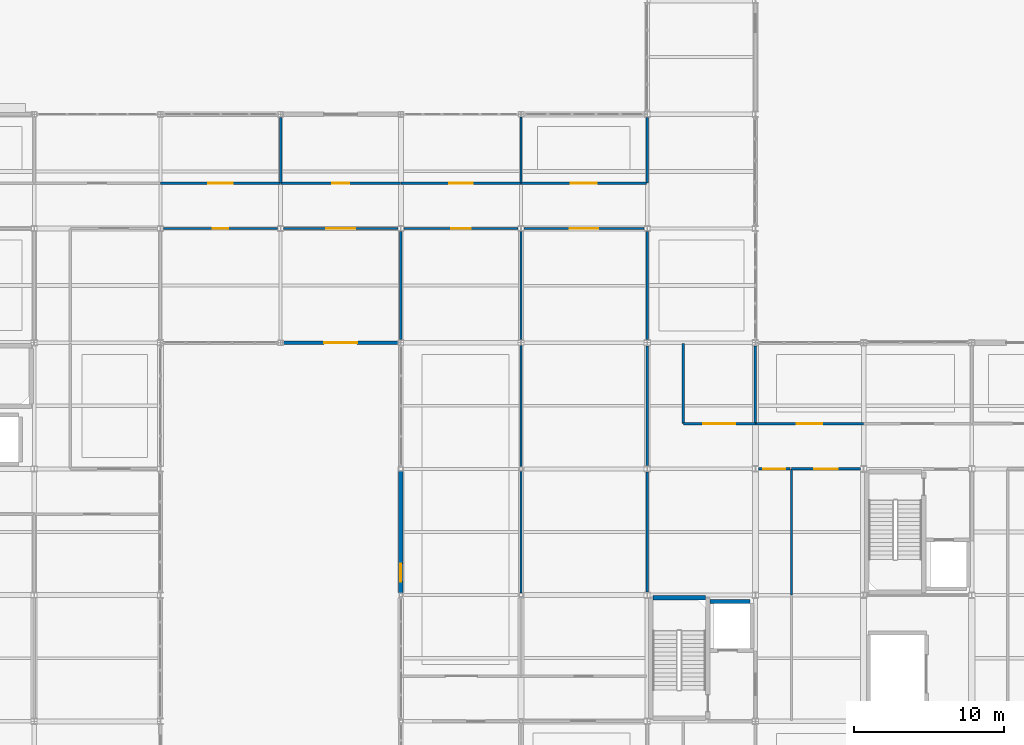
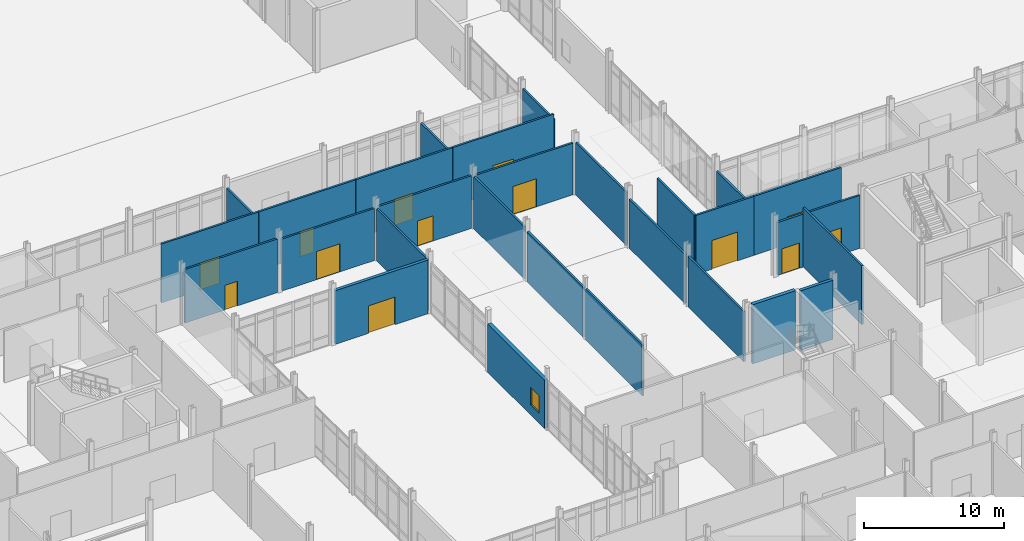
# One storey, part 194 of 229: 29 walls, 13 doors, 1 window, 14 openings.
"""IFC4 building model written with IfcOpenShell, lengths in metres."""

from ifc_helpers import new_model, si_unit, direction, frame, frame_2d, origin, place, context, subcontext, project, spatial, rectangle, extrude, material, layer, layer_set, type_object, element, fill, save


model = new_model("IFC4")

# Units and contexts
model_context = context("Model", 3, precision=1e-05, world=origin(), true_north=direction((0.0, 1.0)))
body_context = subcontext(model_context, "Body", "Model", "MODEL_VIEW")
ifc_project = project(units=[si_unit("LENGTHUNIT", "METRE"), si_unit("AREAUNIT", "SQUARE_METRE"), si_unit("VOLUMEUNIT", "CUBIC_METRE"), si_unit("PLANEANGLEUNIT", "RADIAN"), si_unit("MASSUNIT", "GRAM", prefix="KILO")], contexts=[model_context])

# Site, building, storey
site_placement = place(None, origin())
site = spatial("IfcSite", under=ifc_project, at=site_placement, CompositionType="ELEMENT")
building_placement = place(site_placement, origin())
building = spatial("IfcBuilding", under=site, at=building_placement, Name="Calvrana Isthmian Art Gallery", CompositionType="ELEMENT")
storey_placement = place(building_placement, origin())
storey = spatial("IfcBuildingStorey", under=building, at=storey_placement, Name="L00", CompositionType="ELEMENT", Elevation=0.0)

# Wall
ifc_material_1 = material(Name="Concrete C40/50", Category="concrete")
ifc_layer_1 = layer(ifc_material_1, 0.300048828125, Name="Concrete C40/50")
ifc_layer_set_1 = layer_set([ifc_layer_1], Name="Concrete C40/50")
wall_type_1 = type_object("IfcWallType", Name="CW-SHAFT-300", PredefinedType="SHEAR", material=ifc_layer_set_1)
wall_1_placement = place(storey_placement, frame((113.169921875, 29.81005859375, 0.0), z_axis=(0.0, 0.0, 1.0), x_axis=(1.0, 0.0, 0.0)))
element("IfcWall", 1, at=wall_1_placement, inside=storey, type_object=wall_type_1, Name="Core C3 shear wall N L00", PredefinedType="SHEAR", context=body_context, shape_type="SweptSolid", body=[
    extrude(rectangle(XDim=3.52001953125, YDim=0.300048828125, at=frame_2d((1.760009765625, 0.0))), origin(), (0.0, 0.0, 1.0), 5.159912109375),
])

# Wall, opening, window
ifc_material_2 = material(Name="Pale Isthmian limestone", Category="masonry")
ifc_layer_2 = layer(ifc_material_2, 0.300048828125, Name="Pale Isthmian limestone")
ifc_layer_set_2 = layer_set([ifc_layer_2], Name="Pale Isthmian limestone")
wall_type_2 = type_object("IfcWallType", Name="EW-LIME-300", PredefinedType="SOLIDWALL", material=ifc_layer_set_2)
wall_2_placement = place(storey_placement, frame((96.39990234375, 30.15234375, 0.0), z_axis=(0.0, 0.0, 1.0), x_axis=(0.0, 1.0, 0.0)))
wall_2 = element("IfcWall", 2, at=wall_2_placement, inside=storey, type_object=wall_type_2, Name="Exterior wall EW-044", PredefinedType="SOLIDWALL", context=body_context, shape_type="SweptSolid", body=[
    extrude(rectangle(XDim=8.09521484375, YDim=0.300048828125, at=frame_2d((4.047607421875, 0.0))), origin(), (0.0, 0.0, 1.0), 4.212890625),
])
opening_1_placement = place(wall_2_placement, frame((0.75, 0.0, 0.89990234375)))
opening_1 = element("IfcOpeningElement", 3, at=opening_1_placement, cuts=wall_2, Name="Opening W-015", PredefinedType="OPENING", context=body_context, shape_type="SweptSolid", body=[
    extrude(rectangle(XDim=1.199951171875, YDim=1.5, at=frame_2d((0.60009765625, 0.75))), frame((0.0, 0.16015625, 0.0), z_axis=(0.0, -1.0, 0.0), x_axis=(1.0, 0.0, 0.0)), (0.0, 0.0, 1.0), 0.320556640625),
])
ifc_material_3 = material(Name="Low-E laminated solar glass", Category="glass")
window_type = type_object("IfcWindowType", Name="WN-G01", PartitioningType="SINGLE_PANEL", PredefinedType="WINDOW", material=ifc_material_3)
window_placement = place(opening_1_placement, origin())
window = element("IfcWindow", 4, at=window_placement, inside=storey, type_object=window_type, Name="Facade window W-015", OverallHeight=1.5, OverallWidth=1.199951171875, PartitioningType="SINGLE_PANEL", PredefinedType="WINDOW", context=body_context, shape_type="SweptSolid", body=[
    extrude(rectangle(XDim=1.199951171875, YDim=1.5, at=frame_2d((0.60009765625, 0.75))), frame((0.0, 0.030029296875, 0.0), z_axis=(0.0, -1.0, 0.0), x_axis=(1.0, 0.0, 0.0)), (0.0, 0.0, 1.0), 0.06005859375),
])
fill(opening_1, window)

# Wall, opening, door
ifc_material_4 = material(Name="Polychrome glazed terracotta", Category="masonry")
ifc_layer_3 = layer(ifc_material_4, 0.25, Name="Polychrome glazed terracotta")
ifc_layer_set_3 = layer_set([ifc_layer_3], Name="Polychrome glazed terracotta")
wall_type_3 = type_object("IfcWallType", Name="EW-TERRA-250", PredefinedType="SOLIDWALL", material=ifc_layer_set_3)
wall_3_placement = place(storey_placement, frame((96.21337890625, 46.800048828125, 0.0), z_axis=(0.0, 0.0, 1.0), x_axis=(-1.0, 0.0, 0.0)))
wall_3 = element("IfcWall", 5, at=wall_3_placement, inside=storey, type_object=wall_type_3, Name="Exterior wall EW-013", PredefinedType="SOLIDWALL", context=body_context, shape_type="SweptSolid", body=[
    extrude(rectangle(XDim=7.62939453125, YDim=0.25, at=frame_2d((3.814697265625, 0.0))), origin(), (0.0, 0.0, 1.0), 4.677978515625),
])
opening_2_placement = place(wall_3_placement, frame((2.714599609375, 0.0, 0.0)))
opening_2 = element("IfcOpeningElement", 6, at=opening_2_placement, cuts=wall_3, Name="Opening D-E07", PredefinedType="OPENING", context=body_context, shape_type="SweptSolid", body=[
    extrude(rectangle(XDim=2.199951171875, YDim=2.39990234375, at=frame_2d((1.10009765625, 1.199951171875))), frame((0.0, 0.13525390625, 0.0), z_axis=(0.0, -1.0, 0.0), x_axis=(1.0, 0.0, 0.0)), (0.0, 0.0, 1.0), 0.2705078125),
])
ifc_material_5 = material(Name="Anodized bronze aluminium 6063-T6", Category="aluminium")
door_type_1 = type_object("IfcDoorType", Name="DR-EXT-MAIN-2200", OperationType="DOUBLE_DOOR_SINGLE_SWING", PredefinedType="DOOR", material=ifc_material_5)
door_1_placement = place(opening_2_placement, origin())
door_1 = element("IfcDoor", 7, at=door_1_placement, inside=storey, type_object=door_type_1, Name="Main entrance pedestrian exit D-E07", OperationType="DOUBLE_DOOR_SINGLE_SWING", OverallHeight=2.39990234375, OverallWidth=2.199951171875, PredefinedType="DOOR", context=body_context, shape_type="SweptSolid", body=[
    extrude(rectangle(XDim=2.199951171875, YDim=2.39990234375, at=frame_2d((1.10009765625, 1.199951171875))), frame((0.0, 0.02490234375, 0.0), z_axis=(0.0, -1.0, 0.0), x_axis=(1.0, 0.0, 0.0)), (0.0, 0.0, 1.0), 0.050048828125),
])
fill(opening_2, door_1)

ifc_material_6 = material(Name="Acoustic gypsum ceiling", Category="gypsum")
ifc_layer_4 = layer(ifc_material_6, 0.179931640625, Name="Acoustic gypsum ceiling")
ifc_layer_set_4 = layer_set([ifc_layer_4], Name="Acoustic gypsum ceiling")
wall_type_4 = type_object("IfcWallType", Name="PW-CORR-180", PredefinedType="PARTITIONING", material=ifc_layer_set_4)
wall_4_placement = place(storey_placement, frame((120.219970703125, 38.39990234375, 0.0), z_axis=(0.0, 0.0, 1.0), x_axis=(1.0, 0.0, 0.0)))
wall_4 = element("IfcWall", 8, at=wall_4_placement, inside=storey, type_object=wall_type_4, Name="Interior partition PW-294", PredefinedType="PARTITIONING", context=body_context, shape_type="SweptSolid", body=[
    extrude(rectangle(XDim=2.080078125, YDim=0.179931640625, at=frame_2d((1.0400390625, 0.0))), origin(), (0.0, 0.0, 1.0), 4.60693359375),
])
opening_3_placement = place(wall_4_placement, frame((0.31494140625, 0.0, 0.0)))
opening_3 = element("IfcOpeningElement", 9, at=opening_3_placement, cuts=wall_4, Name="Opening D-346", PredefinedType="OPENING", context=body_context, shape_type="SweptSolid", body=[
    extrude(rectangle(XDim=1.449951171875, YDim=2.199951171875, at=frame_2d((0.72509765625, 1.10009765625))), frame((0.0, 0.10009765625, 0.0), z_axis=(0.0, -1.0, 0.0), x_axis=(1.0, 0.0, 0.0)), (0.0, 0.0, 1.0), 0.200439453125),
])
ifc_material_7 = material(Name="Steel ASTM A572 Gr 50", Category="steel")
door_type_2 = type_object("IfcDoorType", Name="DR-LOBBY-1450", OperationType="DOUBLE_DOOR_SINGLE_SWING", PredefinedType="DOOR", material=ifc_material_7)
door_2_placement = place(opening_3_placement, origin())
door_2 = element("IfcDoor", 10, at=door_2_placement, inside=storey, type_object=door_type_2, Name="Interior door D-346", OperationType="DOUBLE_DOOR_SINGLE_SWING", OverallHeight=2.199951171875, OverallWidth=1.449951171875, PredefinedType="DOOR", context=body_context, shape_type="SweptSolid", body=[
    extrude(rectangle(XDim=1.449951171875, YDim=2.199951171875, at=frame_2d((0.72509765625, 1.10009765625))), frame((0.0, 0.02490234375, 0.0), z_axis=(0.0, -1.0, 0.0), x_axis=(1.0, 0.0, 0.0)), (0.0, 0.0, 1.0), 0.050048828125),
])
fill(opening_3, door_2)

# Walls
ifc_layer_5 = layer(ifc_material_6, 0.159912109375, Name="Acoustic gypsum ceiling")
ifc_layer_set_5 = layer_set([ifc_layer_5], Name="Acoustic gypsum ceiling")
wall_type_5 = type_object("IfcWallType", Name="PW-GAL-160", PredefinedType="PARTITIONING", material=ifc_layer_set_5)
wall_5_placement = place(storey_placement, frame((104.39990234375, 30.14208984375, 0.0), z_axis=(0.0, 0.0, 1.0), x_axis=(0.0, 1.0, 0.0)))
element("IfcWall", 11, at=wall_5_placement, inside=storey, type_object=wall_type_5, Name="Interior partition PW-136", PredefinedType="PARTITIONING", context=body_context, shape_type="SweptSolid", body=[
    extrude(rectangle(XDim=8.090576171875, YDim=0.159912109375, at=frame_2d((4.04541015625, 0.0))), origin(), (0.0, 0.0, 1.0), 4.447021484375),
])
wall_6_placement = place(storey_placement, frame((104.39990234375, 38.5673828125, 0.0), z_axis=(0.0, 0.0, 1.0), x_axis=(0.0, 1.0, 0.0)))
element("IfcWall", 12, at=wall_6_placement, inside=storey, type_object=wall_type_5, Name="Interior partition PW-137", PredefinedType="PARTITIONING", context=body_context, shape_type="SweptSolid", body=[
    extrude(rectangle(XDim=8.03369140625, YDim=0.159912109375, at=frame_2d((4.016845703125, 0.0))), origin(), (0.0, 0.0, 1.0), 4.367919921875),
])
wall_7_placement = place(storey_placement, frame((112.800048828125, 30.214599609375, 0.0), z_axis=(0.0, 0.0, 1.0), x_axis=(0.0, 1.0, 0.0)))
element("IfcWall", 13, at=wall_7_placement, inside=storey, type_object=wall_type_5, Name="Interior partition PW-139", PredefinedType="PARTITIONING", context=body_context, shape_type="SweptSolid", body=[
    extrude(rectangle(XDim=7.96728515625, YDim=0.159912109375, at=frame_2d((3.983642578125, 0.0))), origin(), (0.0, 0.0, 1.0), 4.367919921875),
])
wall_8_placement = place(storey_placement, frame((112.800048828125, 38.617919921875, 0.0), z_axis=(0.0, 0.0, 1.0), x_axis=(0.0, 1.0, 0.0)))
element("IfcWall", 14, at=wall_8_placement, inside=storey, type_object=wall_type_5, Name="Interior partition PW-140", PredefinedType="PARTITIONING", context=body_context, shape_type="SweptSolid", body=[
    extrude(rectangle(XDim=7.95849609375, YDim=0.159912109375, at=frame_2d((3.979248046875, 0.0))), origin(), (0.0, 0.0, 1.0), 4.263916015625),
])

# Wall, opening, door
wall_9_placement = place(storey_placement, frame((80.6015625, 54.39990234375, 0.0), z_axis=(0.0, 0.0, 1.0), x_axis=(1.0, 0.0, 0.0)))
wall_9 = element("IfcWall", 15, at=wall_9_placement, inside=storey, type_object=wall_type_5, Name="Interior partition PW-146", PredefinedType="PARTITIONING", context=body_context, shape_type="SweptSolid", body=[
    extrude(rectangle(XDim=7.597900390625, YDim=0.159912109375, at=frame_2d((3.798828125, 0.0))), origin(), (0.0, 0.0, 1.0), 4.677978515625),
])
opening_4_placement = place(wall_9_placement, frame((3.27392578125, 0.0, 0.0)))
opening_4 = element("IfcOpeningElement", 16, at=opening_4_placement, cuts=wall_9, Name="Opening D-268", PredefinedType="OPENING", context=body_context, shape_type="SweptSolid", body=[
    extrude(rectangle(XDim=1.050048828125, YDim=2.14990234375, at=frame_2d((0.52490234375, 1.074951171875))), frame((0.0, 0.09033203125, 0.0), z_axis=(0.0, -1.0, 0.0), x_axis=(1.0, 0.0, 0.0)), (0.0, 0.0, 1.0), 0.180419921875),
])
ifc_material_8 = material(Name="Timber gallery flooring", Category="wood")
door_type_3 = type_object("IfcDoorType", Name="DR-RM-1050", OperationType="NOTDEFINED", PredefinedType="DOOR", material=ifc_material_8)
door_3_placement = place(opening_4_placement, origin())
door_3 = element("IfcDoor", 17, at=door_3_placement, inside=storey, type_object=door_type_3, Name="Interior door D-268", OperationType="SINGLE_SWING_RIGHT", OverallHeight=2.14990234375, OverallWidth=1.050048828125, PredefinedType="DOOR", context=body_context, shape_type="SweptSolid", body=[
    extrude(rectangle(XDim=1.050048828125, YDim=2.14990234375, at=frame_2d((0.52490234375, 1.074951171875))), frame((0.0, 0.02490234375, 0.0), z_axis=(0.0, -1.0, 0.0), x_axis=(1.0, 0.0, 0.0)), (0.0, 0.0, 1.0), 0.050048828125),
])
fill(opening_4, door_3)

wall_10_placement = place(storey_placement, frame((88.6005859375, 54.39990234375, 0.0), z_axis=(0.0, 0.0, 1.0), x_axis=(1.0, 0.0, 0.0)))
wall_10 = element("IfcWall", 18, at=wall_10_placement, inside=storey, type_object=wall_type_5, Name="Interior partition PW-147", PredefinedType="PARTITIONING", context=body_context, shape_type="SweptSolid", body=[
    extrude(rectangle(XDim=7.600341796875, YDim=0.159912109375, at=frame_2d((3.80029296875, 0.0))), origin(), (0.0, 0.0, 1.0), 4.532958984375),
])
opening_5_placement = place(wall_10_placement, frame((2.85009765625, 0.0, 0.0)))
opening_5 = element("IfcOpeningElement", 19, at=opening_5_placement, cuts=wall_10, Name="Opening D-269", PredefinedType="OPENING", context=body_context, shape_type="SweptSolid", body=[
    extrude(rectangle(XDim=1.89990234375, YDim=2.449951171875, at=frame_2d((0.949951171875, 1.22509765625))), frame((0.0, 0.09033203125, 0.0), z_axis=(0.0, -1.0, 0.0), x_axis=(1.0, 0.0, 0.0)), (0.0, 0.0, 1.0), 0.180419921875),
])
door_type_4 = type_object("IfcDoorType", Name="DR-GAL-1900", OperationType="DOUBLE_DOOR_SINGLE_SWING", PredefinedType="DOOR", material=ifc_material_8)
door_4_placement = place(opening_5_placement, origin())
door_4 = element("IfcDoor", 20, at=door_4_placement, inside=storey, type_object=door_type_4, Name="Interior door D-269", OperationType="DOUBLE_DOOR_SINGLE_SWING", OverallHeight=2.449951171875, OverallWidth=1.89990234375, PredefinedType="DOOR", context=body_context, shape_type="SweptSolid", body=[
    extrude(rectangle(XDim=1.89990234375, YDim=2.449951171875, at=frame_2d((0.949951171875, 1.22509765625))), frame((0.0, 0.02490234375, 0.0), z_axis=(0.0, -1.0, 0.0), x_axis=(1.0, 0.0, 0.0)), (0.0, 0.0, 1.0), 0.050048828125),
])
fill(opening_5, door_4)

# Wall
wall_11_placement = place(storey_placement, frame((96.39990234375, 47.00146484375, 0.0), z_axis=(0.0, 0.0, 1.0), x_axis=(0.0, 1.0, 0.0)))
element("IfcWall", 21, at=wall_11_placement, inside=storey, type_object=wall_type_5, Name="Interior partition PW-148", PredefinedType="PARTITIONING", context=body_context, shape_type="SweptSolid", body=[
    extrude(rectangle(XDim=7.20556640625, YDim=0.159912109375, at=frame_2d((3.602783203125, 0.0))), origin(), (0.0, 0.0, 1.0), 4.528076171875),
])

# Wall, opening, door
wall_12_placement = place(storey_placement, frame((96.59912109375, 54.39990234375, 0.0), z_axis=(0.0, 0.0, 1.0), x_axis=(1.0, 0.0, 0.0)))
wall_12 = element("IfcWall", 22, at=wall_12_placement, inside=storey, type_object=wall_type_5, Name="Interior partition PW-149", PredefinedType="PARTITIONING", context=body_context, shape_type="SweptSolid", body=[
    extrude(rectangle(XDim=7.599365234375, YDim=0.159912109375, at=frame_2d((3.7998046875, 0.0))), origin(), (0.0, 0.0, 1.0), 4.591064453125),
])
opening_6_placement = place(wall_12_placement, frame((3.149658203125, 0.0, 0.0)))
opening_6 = element("IfcOpeningElement", 23, at=opening_6_placement, cuts=wall_12, Name="Opening D-270", PredefinedType="OPENING", context=body_context, shape_type="SweptSolid", body=[
    extrude(rectangle(XDim=1.300048828125, YDim=2.199951171875, at=frame_2d((0.64990234375, 1.10009765625))), frame((0.0, 0.09033203125, 0.0), z_axis=(0.0, -1.0, 0.0), x_axis=(1.0, 0.0, 0.0)), (0.0, 0.0, 1.0), 0.180419921875),
])
door_type_5 = type_object("IfcDoorType", Name="DR-RM-1300", OperationType="NOTDEFINED", PredefinedType="DOOR", material=ifc_material_8)
door_5_placement = place(opening_6_placement, origin())
door_5 = element("IfcDoor", 24, at=door_5_placement, inside=storey, type_object=door_type_5, Name="Interior door D-270", OperationType="SINGLE_SWING_LEFT", OverallHeight=2.199951171875, OverallWidth=1.300048828125, PredefinedType="DOOR", context=body_context, shape_type="SweptSolid", body=[
    extrude(rectangle(XDim=1.300048828125, YDim=2.199951171875, at=frame_2d((0.64990234375, 1.10009765625))), frame((0.0, 0.02490234375, 0.0), z_axis=(0.0, -1.0, 0.0), x_axis=(1.0, 0.0, 0.0)), (0.0, 0.0, 1.0), 0.050048828125),
])
fill(opening_6, door_5)

# Wall
wall_13_placement = place(storey_placement, frame((104.39990234375, 46.9990234375, 0.0), z_axis=(0.0, 0.0, 1.0), x_axis=(0.0, 1.0, 0.0)))
element("IfcWall", 25, at=wall_13_placement, inside=storey, type_object=wall_type_5, Name="Interior partition PW-150", PredefinedType="PARTITIONING", context=body_context, shape_type="SweptSolid", body=[
    extrude(rectangle(XDim=7.199462890625, YDim=0.159912109375, at=frame_2d((3.599609375, 0.0))), origin(), (0.0, 0.0, 1.0), 4.532958984375),
])

# Wall, opening, door
wall_14_placement = place(storey_placement, frame((104.6015625, 54.39990234375, 0.0), z_axis=(0.0, 0.0, 1.0), x_axis=(1.0, 0.0, 0.0)))
wall_14 = element("IfcWall", 26, at=wall_14_placement, inside=storey, type_object=wall_type_5, Name="Interior partition PW-151", PredefinedType="PARTITIONING", context=body_context, shape_type="SweptSolid", body=[
    extrude(rectangle(XDim=7.9853515625, YDim=0.159912109375, at=frame_2d((3.99267578125, 0.0))), origin(), (0.0, 0.0, 1.0), 4.508056640625),
])
opening_7_placement = place(wall_14_placement, frame((3.042724609375, 0.0, 0.0)))
opening_7 = element("IfcOpeningElement", 27, at=opening_7_placement, cuts=wall_14, Name="Opening D-271", PredefinedType="OPENING", context=body_context, shape_type="SweptSolid", body=[
    extrude(rectangle(XDim=1.89990234375, YDim=2.449951171875, at=frame_2d((0.949951171875, 1.22509765625))), frame((0.0, 0.09033203125, 0.0), z_axis=(0.0, -1.0, 0.0), x_axis=(1.0, 0.0, 0.0)), (0.0, 0.0, 1.0), 0.180419921875),
])
door_6_placement = place(opening_7_placement, origin())
door_6 = element("IfcDoor", 28, at=door_6_placement, inside=storey, type_object=door_type_4, Name="Interior door D-271", OperationType="DOUBLE_DOOR_SINGLE_SWING", OverallHeight=2.449951171875, OverallWidth=1.89990234375, PredefinedType="DOOR", context=body_context, shape_type="SweptSolid", body=[
    extrude(rectangle(XDim=1.89990234375, YDim=2.449951171875, at=frame_2d((0.949951171875, 1.22509765625))), frame((0.0, 0.02490234375, 0.0), z_axis=(0.0, -1.0, 0.0), x_axis=(1.0, 0.0, 0.0)), (0.0, 0.0, 1.0), 0.050048828125),
])
fill(opening_7, door_6)

# Wall
wall_15_placement = place(storey_placement, frame((112.800048828125, 47.0234375, 0.0), z_axis=(0.0, 0.0, 1.0), x_axis=(0.0, 1.0, 0.0)))
element("IfcWall", 29, at=wall_15_placement, inside=storey, type_object=wall_type_5, Name="Interior partition PW-152", PredefinedType="PARTITIONING", context=body_context, shape_type="SweptSolid", body=[
    extrude(rectangle(XDim=7.171142578125, YDim=0.159912109375, at=frame_2d((3.58544921875, 0.0))), origin(), (0.0, 0.0, 1.0), 4.5869140625),
])

# Wall, opening, door
wall_16_placement = place(storey_placement, frame((80.409912109375, 57.409912109375, 0.0), z_axis=(0.0, 0.0, 1.0), x_axis=(1.0, 0.0, 0.0)))
wall_16 = element("IfcWall", 30, at=wall_16_placement, inside=storey, type_object=wall_type_5, Name="Interior partition PW-156", PredefinedType="PARTITIONING", context=body_context, shape_type="SweptSolid", body=[
    extrude(rectangle(XDim=7.97998046875, YDim=0.159912109375, at=frame_2d((3.989990234375, 0.0))), origin(), (0.0, 0.0, 1.0), 5.139892578125),
])
opening_8_placement = place(wall_16_placement, frame((3.18994140625, 0.0, 0.0)))
opening_8 = element("IfcOpeningElement", 31, at=opening_8_placement, cuts=wall_16, Name="Opening D-274", PredefinedType="OPENING", context=body_context, shape_type="SweptSolid", body=[
    extrude(rectangle(XDim=1.60009765625, YDim=2.35009765625, at=frame_2d((0.800048828125, 1.175048828125))), frame((0.0, 0.09033203125, 0.0), z_axis=(0.0, -1.0, 0.0), x_axis=(1.0, 0.0, 0.0)), (0.0, 0.0, 1.0), 0.180419921875),
])
door_type_6 = type_object("IfcDoorType", Name="DR-GAL-1600", OperationType="DOUBLE_DOOR_SINGLE_SWING", PredefinedType="DOOR", material=ifc_material_8)
door_7_placement = place(opening_8_placement, origin())
door_7 = element("IfcDoor", 32, at=door_7_placement, inside=storey, type_object=door_type_6, Name="Interior door D-274", OperationType="DOUBLE_DOOR_SINGLE_SWING", OverallHeight=2.35009765625, OverallWidth=1.60009765625, PredefinedType="DOOR", context=body_context, shape_type="SweptSolid", body=[
    extrude(rectangle(XDim=1.60009765625, YDim=2.35009765625, at=frame_2d((0.800048828125, 1.175048828125))), frame((0.0, 0.02490234375, 0.0), z_axis=(0.0, -1.0, 0.0), x_axis=(1.0, 0.0, 0.0)), (0.0, 0.0, 1.0), 0.050048828125),
])
fill(opening_8, door_7)

# Wall
wall_17_placement = place(storey_placement, frame((88.39990234375, 57.419921875, 0.0), z_axis=(0.0, 0.0, 1.0), x_axis=(0.0, 1.0, 0.0)))
element("IfcWall", 33, at=wall_17_placement, inside=storey, type_object=wall_type_5, Name="Interior partition PW-157", PredefinedType="PARTITIONING", context=body_context, shape_type="SweptSolid", body=[
    extrude(rectangle(XDim=4.381103515625, YDim=0.159912109375, at=frame_2d((2.1904296875, 0.0))), origin(), (0.0, 0.0, 1.0), 4.528076171875),
])

# Wall, opening, door
wall_18_placement = place(storey_placement, frame((88.409912109375, 57.409912109375, 0.0), z_axis=(0.0, 0.0, 1.0), x_axis=(1.0, 0.0, 0.0)))
wall_18 = element("IfcWall", 34, at=wall_18_placement, inside=storey, type_object=wall_type_5, Name="Interior partition PW-158", PredefinedType="PARTITIONING", context=body_context, shape_type="SweptSolid", body=[
    extrude(rectangle(XDim=7.97998046875, YDim=0.159912109375, at=frame_2d((3.989990234375, 0.0))), origin(), (0.0, 0.0, 1.0), 5.139892578125),
])
opening_9_placement = place(wall_18_placement, frame((3.4150390625, 0.0, 0.0)))
opening_9 = element("IfcOpeningElement", 35, at=opening_9_placement, cuts=wall_18, Name="Opening D-275", PredefinedType="OPENING", context=body_context, shape_type="SweptSolid", body=[
    extrude(rectangle(XDim=1.14990234375, YDim=2.199951171875, at=frame_2d((0.574951171875, 1.10009765625))), frame((0.0, 0.09033203125, 0.0), z_axis=(0.0, -1.0, 0.0), x_axis=(1.0, 0.0, 0.0)), (0.0, 0.0, 1.0), 0.180419921875),
])
door_type_7 = type_object("IfcDoorType", Name="DR-RM-1150", OperationType="NOTDEFINED", PredefinedType="DOOR", material=ifc_material_8)
door_8_placement = place(opening_9_placement, origin())
door_8 = element("IfcDoor", 36, at=door_8_placement, inside=storey, type_object=door_type_7, Name="Interior door D-275", OperationType="SINGLE_SWING_LEFT", OverallHeight=2.199951171875, OverallWidth=1.14990234375, PredefinedType="DOOR", context=body_context, shape_type="SweptSolid", body=[
    extrude(rectangle(XDim=1.14990234375, YDim=2.199951171875, at=frame_2d((0.574951171875, 1.10009765625))), frame((0.0, 0.02490234375, 0.0), z_axis=(0.0, -1.0, 0.0), x_axis=(1.0, 0.0, 0.0)), (0.0, 0.0, 1.0), 0.050048828125),
])
fill(opening_9, door_8)

wall_19_placement = place(storey_placement, frame((96.409912109375, 57.409912109375, 0.0), z_axis=(0.0, 0.0, 1.0), x_axis=(1.0, 0.0, 0.0)))
wall_19 = element("IfcWall", 37, at=wall_19_placement, inside=storey, type_object=wall_type_5, Name="Interior partition PW-159", PredefinedType="PARTITIONING", context=body_context, shape_type="SweptSolid", body=[
    extrude(rectangle(XDim=7.97998046875, YDim=0.159912109375, at=frame_2d((3.989990234375, 0.0))), origin(), (0.0, 0.0, 1.0), 5.139892578125),
])
opening_10_placement = place(wall_19_placement, frame((3.215087890625, 0.0, 0.0)))
opening_10 = element("IfcOpeningElement", 38, at=opening_10_placement, cuts=wall_19, Name="Opening D-276", PredefinedType="OPENING", context=body_context, shape_type="SweptSolid", body=[
    extrude(rectangle(XDim=1.550048828125, YDim=2.300048828125, at=frame_2d((0.77490234375, 1.14990234375))), frame((0.0, 0.09033203125, 0.0), z_axis=(0.0, -1.0, 0.0), x_axis=(1.0, 0.0, 0.0)), (0.0, 0.0, 1.0), 0.180419921875),
])
door_type_8 = type_object("IfcDoorType", Name="DR-AUD-1550", OperationType="DOUBLE_DOOR_SINGLE_SWING", PredefinedType="DOOR", material=ifc_material_8)
door_9_placement = place(opening_10_placement, origin())
door_9 = element("IfcDoor", 39, at=door_9_placement, inside=storey, type_object=door_type_8, Name="Interior door D-276", OperationType="DOUBLE_DOOR_SINGLE_SWING", OverallHeight=2.300048828125, OverallWidth=1.550048828125, PredefinedType="DOOR", context=body_context, shape_type="SweptSolid", body=[
    extrude(rectangle(XDim=1.550048828125, YDim=2.300048828125, at=frame_2d((0.77490234375, 1.14990234375))), frame((0.0, 0.02490234375, 0.0), z_axis=(0.0, -1.0, 0.0), x_axis=(1.0, 0.0, 0.0)), (0.0, 0.0, 1.0), 0.050048828125),
])
fill(opening_10, door_9)

# Wall
wall_20_placement = place(storey_placement, frame((104.39990234375, 57.419921875, 0.0), z_axis=(0.0, 0.0, 1.0), x_axis=(0.0, 1.0, 0.0)))
element("IfcWall", 40, at=wall_20_placement, inside=storey, type_object=wall_type_5, Name="Interior partition PW-160", PredefinedType="PARTITIONING", context=body_context, shape_type="SweptSolid", body=[
    extrude(rectangle(XDim=4.386962890625, YDim=0.159912109375, at=frame_2d((2.193359375, 0.0))), origin(), (0.0, 0.0, 1.0), 4.60693359375),
])

# Wall, opening, door
wall_21_placement = place(storey_placement, frame((104.409912109375, 57.409912109375, 0.0), z_axis=(0.0, 0.0, 1.0), x_axis=(1.0, 0.0, 0.0)))
wall_21 = element("IfcWall", 41, at=wall_21_placement, inside=storey, type_object=wall_type_5, Name="Interior partition PW-161", PredefinedType="PARTITIONING", context=body_context, shape_type="SweptSolid", body=[
    extrude(rectangle(XDim=8.330078125, YDim=0.159912109375, at=frame_2d((4.1650390625, 0.0))), origin(), (0.0, 0.0, 1.0), 5.139892578125),
])
opening_11_placement = place(wall_21_placement, frame((3.31494140625, 0.0, 0.0)))
opening_11 = element("IfcOpeningElement", 42, at=opening_11_placement, cuts=wall_21, Name="Opening D-277", PredefinedType="OPENING", context=body_context, shape_type="SweptSolid", body=[
    extrude(rectangle(XDim=1.699951171875, YDim=2.39990234375, at=frame_2d((0.85009765625, 1.199951171875))), frame((0.0, 0.09033203125, 0.0), z_axis=(0.0, -1.0, 0.0), x_axis=(1.0, 0.0, 0.0)), (0.0, 0.0, 1.0), 0.180419921875),
])
door_type_9 = type_object("IfcDoorType", Name="DR-GAL-1700", OperationType="DOUBLE_DOOR_SINGLE_SWING", PredefinedType="DOOR", material=ifc_material_8)
door_10_placement = place(opening_11_placement, origin())
door_10 = element("IfcDoor", 43, at=door_10_placement, inside=storey, type_object=door_type_9, Name="Interior door D-277", OperationType="DOUBLE_DOOR_SINGLE_SWING", OverallHeight=2.39990234375, OverallWidth=1.699951171875, PredefinedType="DOOR", context=body_context, shape_type="SweptSolid", body=[
    extrude(rectangle(XDim=1.699951171875, YDim=2.39990234375, at=frame_2d((0.85009765625, 1.199951171875))), frame((0.0, 0.02490234375, 0.0), z_axis=(0.0, -1.0, 0.0), x_axis=(1.0, 0.0, 0.0)), (0.0, 0.0, 1.0), 0.050048828125),
])
fill(opening_11, door_10)

# Walls
wall_22_placement = place(storey_placement, frame((112.800048828125, 57.419921875, 0.0), z_axis=(0.0, 0.0, 1.0), x_axis=(0.0, 1.0, 0.0)))
element("IfcWall", 44, at=wall_22_placement, inside=storey, type_object=wall_type_5, Name="Interior partition PW-162", PredefinedType="PARTITIONING", context=body_context, shape_type="SweptSolid", body=[
    extrude(rectangle(XDim=4.3720703125, YDim=0.159912109375, at=frame_2d((2.18603515625, 0.0))), origin(), (0.0, 0.0, 1.0), 4.657958984375),
])
wall_23_placement = place(storey_placement, frame((122.39990234375, 30.02001953125, 0.0), z_axis=(0.0, 0.0, 1.0), x_axis=(0.0, 1.0, 0.0)))
element("IfcWall", 45, at=wall_23_placement, inside=storey, type_object=wall_type_5, Name="Interior partition PW-211", PredefinedType="PARTITIONING", context=body_context, shape_type="SweptSolid", body=[
    extrude(rectangle(XDim=8.35986328125, YDim=0.159912109375, at=frame_2d((4.179931640625, 0.0))), origin(), (0.0, 0.0, 1.0), 5.139892578125),
])

# Wall, opening, door
wall_24_placement = place(storey_placement, frame((122.39990234375, 38.39990234375, 0.0), z_axis=(0.0, 0.0, 1.0), x_axis=(1.0, 0.0, 0.0)))
wall_24 = element("IfcWall", 46, at=wall_24_placement, inside=storey, type_object=wall_type_5, Name="Interior partition PW-212", PredefinedType="PARTITIONING", context=body_context, shape_type="SweptSolid", body=[
    extrude(rectangle(XDim=4.58203125, YDim=0.159912109375, at=frame_2d((2.291015625, 0.0))), origin(), (0.0, 0.0, 1.0), 4.60693359375),
])
opening_12_placement = place(wall_24_placement, frame((1.51611328125, 0.0, 0.0)))
opening_12 = element("IfcOpeningElement", 47, at=opening_12_placement, cuts=wall_24, Name="Opening D-299", PredefinedType="OPENING", context=body_context, shape_type="SweptSolid", body=[
    extrude(rectangle(XDim=1.550048828125, YDim=2.300048828125, at=frame_2d((0.77490234375, 1.14990234375))), frame((0.0, 0.09033203125, 0.0), z_axis=(0.0, -1.0, 0.0), x_axis=(1.0, 0.0, 0.0)), (0.0, 0.0, 1.0), 0.180419921875),
])
door_11_placement = place(opening_12_placement, origin())
door_11 = element("IfcDoor", 48, at=door_11_placement, inside=storey, type_object=door_type_8, Name="Interior door D-299", OperationType="DOUBLE_DOOR_SINGLE_SWING", OverallHeight=2.300048828125, OverallWidth=1.550048828125, PredefinedType="DOOR", context=body_context, shape_type="SweptSolid", body=[
    extrude(rectangle(XDim=1.550048828125, YDim=2.300048828125, at=frame_2d((0.77490234375, 1.14990234375))), frame((0.0, 0.02490234375, 0.0), z_axis=(0.0, -1.0, 0.0), x_axis=(1.0, 0.0, 0.0)), (0.0, 0.0, 1.0), 0.050048828125),
])
fill(opening_12, door_11)

# Wall
wall_25_placement = place(storey_placement, frame((115.199951171875, 41.429931640625, 0.0), z_axis=(0.0, 0.0, 1.0), x_axis=(0.0, 1.0, 0.0)))
element("IfcWall", 49, at=wall_25_placement, inside=storey, type_object=wall_type_5, Name="Interior partition PW-220", PredefinedType="PARTITIONING", context=body_context, shape_type="SweptSolid", body=[
    extrude(rectangle(XDim=5.330078125, YDim=0.159912109375, at=frame_2d((2.6650390625, 0.0))), origin(), (0.0, 0.0, 1.0), 5.139892578125),
])

# Wall, opening, door
wall_26_placement = place(storey_placement, frame((115.199951171875, 41.409912109375, 0.0), z_axis=(0.0, 0.0, 1.0), x_axis=(1.0, 0.0, 0.0)))
wall_26 = element("IfcWall", 50, at=wall_26_placement, inside=storey, type_object=wall_type_5, Name="Interior partition PW-221", PredefinedType="PARTITIONING", context=body_context, shape_type="SweptSolid", body=[
    extrude(rectangle(XDim=4.7900390625, YDim=0.159912109375, at=frame_2d((2.39501953125, 0.0))), origin(), (0.0, 0.0, 1.0), 5.139892578125),
])
opening_13_placement = place(wall_26_placement, frame((1.344970703125, 0.0, 0.0)))
opening_13 = element("IfcOpeningElement", 51, at=opening_13_placement, cuts=wall_26, Name="Opening D-303", PredefinedType="OPENING", context=body_context, shape_type="SweptSolid", body=[
    extrude(rectangle(XDim=2.10009765625, YDim=2.5, at=frame_2d((1.050048828125, 1.25))), frame((0.0, 0.09033203125, 0.0), z_axis=(0.0, -1.0, 0.0), x_axis=(1.0, 0.0, 0.0)), (0.0, 0.0, 1.0), 0.180419921875),
])
door_type_10 = type_object("IfcDoorType", Name="DR-GAL-2100", OperationType="DOUBLE_DOOR_SINGLE_SWING", PredefinedType="DOOR", material=ifc_material_8)
door_12_placement = place(opening_13_placement, origin())
door_12 = element("IfcDoor", 52, at=door_12_placement, inside=storey, type_object=door_type_10, Name="Interior door D-303", OperationType="DOUBLE_DOOR_SINGLE_SWING", OverallHeight=2.5, OverallWidth=2.10009765625, PredefinedType="DOOR", context=body_context, shape_type="SweptSolid", body=[
    extrude(rectangle(XDim=2.10009765625, YDim=2.5, at=frame_2d((1.050048828125, 1.25))), frame((0.0, 0.02490234375, 0.0), z_axis=(0.0, -1.0, 0.0), x_axis=(1.0, 0.0, 0.0)), (0.0, 0.0, 1.0), 0.050048828125),
])
fill(opening_13, door_12)

# Wall
wall_27_placement = place(storey_placement, frame((120.0, 41.419921875, 0.0), z_axis=(0.0, 0.0, 1.0), x_axis=(0.0, 1.0, 0.0)))
element("IfcWall", 53, at=wall_27_placement, inside=storey, type_object=wall_type_5, Name="Interior partition PW-222", PredefinedType="PARTITIONING", context=body_context, shape_type="SweptSolid", body=[
    extrude(rectangle(XDim=5.16552734375, YDim=0.159912109375, at=frame_2d((2.582763671875, 0.0))), origin(), (0.0, 0.0, 1.0), 4.193115234375),
])

# Wall, opening, door
wall_28_placement = place(storey_placement, frame((120.010009765625, 41.409912109375, 0.0), z_axis=(0.0, 0.0, 1.0), x_axis=(1.0, 0.0, 0.0)))
wall_28 = element("IfcWall", 54, at=wall_28_placement, inside=storey, type_object=wall_type_5, Name="Interior partition PW-223", PredefinedType="PARTITIONING", context=body_context, shape_type="SweptSolid", body=[
    extrude(rectangle(XDim=7.179931640625, YDim=0.159912109375, at=frame_2d((3.58984375, 0.0))), origin(), (0.0, 0.0, 1.0), 5.139892578125),
])
opening_14_placement = place(wall_28_placement, frame((2.739990234375, 0.0, 0.0)))
opening_14 = element("IfcOpeningElement", 55, at=opening_14_placement, cuts=wall_28, Name="Opening D-304", PredefinedType="OPENING", context=body_context, shape_type="SweptSolid", body=[
    extrude(rectangle(XDim=1.699951171875, YDim=2.39990234375, at=frame_2d((0.85009765625, 1.199951171875))), frame((0.0, 0.09033203125, 0.0), z_axis=(0.0, -1.0, 0.0), x_axis=(1.0, 0.0, 0.0)), (0.0, 0.0, 1.0), 0.180419921875),
])
door_13_placement = place(opening_14_placement, origin())
door_13 = element("IfcDoor", 56, at=door_13_placement, inside=storey, type_object=door_type_9, Name="Interior door D-304", OperationType="DOUBLE_DOOR_SINGLE_SWING", OverallHeight=2.39990234375, OverallWidth=1.699951171875, PredefinedType="DOOR", context=body_context, shape_type="SweptSolid", body=[
    extrude(rectangle(XDim=1.699951171875, YDim=2.39990234375, at=frame_2d((0.85009765625, 1.199951171875))), frame((0.0, 0.02490234375, 0.0), z_axis=(0.0, -1.0, 0.0), x_axis=(1.0, 0.0, 0.0)), (0.0, 0.0, 1.0), 0.050048828125),
])
fill(opening_14, door_13)

# Wall
ifc_material_9 = material(Name="Concrete C35/45", Category="concrete")
ifc_layer_6 = layer(ifc_material_9, 0.25, Name="Concrete C35/45")
ifc_layer_set_6 = layer_set([ifc_layer_6], Name="Concrete C35/45")
wall_type_6 = type_object("IfcWallType", Name="PW-SHAFT-250", PredefinedType="PARTITIONING", material=ifc_layer_set_6)
wall_29_placement = place(storey_placement, frame((116.989990234375, 29.580078125, 0.0), z_axis=(0.0, 0.0, 1.0), x_axis=(1.0, 0.0, 0.0)))
element("IfcWall", 57, at=wall_29_placement, inside=storey, type_object=wall_type_6, Name="Lift EL-03 shaft wall N L00", PredefinedType="PARTITIONING", context=body_context, shape_type="SweptSolid", body=[
    extrude(rectangle(XDim=2.659912109375, YDim=0.25, at=frame_2d((1.330078125, 0.0))), origin(), (0.0, 0.0, 1.0), 5.159912109375),
])

save(model, "model.ifc")
